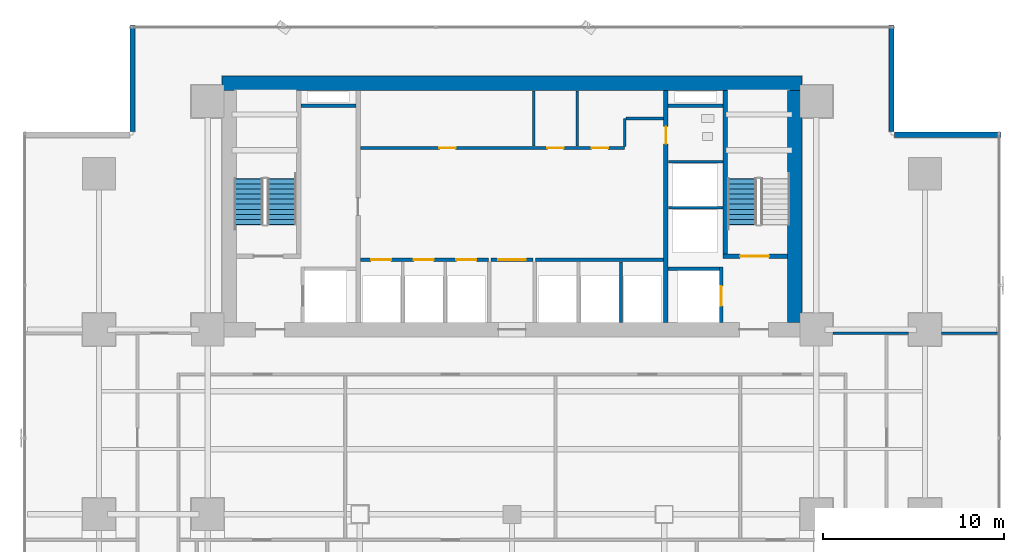
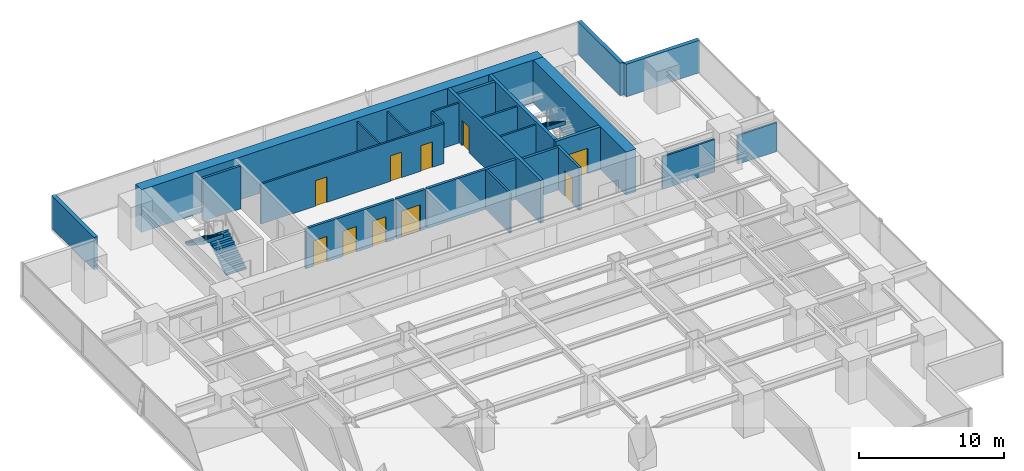
# One storey, part 25 of 32: 25 walls, 10 doors, 3 stair flights, 10 openings, 2 elements without a shape of their own.
"""IFC4 building model written with IfcOpenShell, lengths in metres."""

from ifc_helpers import new_model, si_unit, direction, frame, frame_2d, origin, place, context, subcontext, project, spatial, polyline, rectangle, outline, extrude, source, transform, mapped, material, layer, layer_set, type_object, element, fill, aggregate, save


model = new_model("IFC4")

# Units and contexts
model_context = context("Model", 3, precision=1e-05, world=origin(), true_north=direction((0.0, 1.0)))
body_context = subcontext(model_context, "Body", "Model", "MODEL_VIEW")
ifc_project = project(units=[si_unit("LENGTHUNIT", "METRE"), si_unit("AREAUNIT", "SQUARE_METRE"), si_unit("VOLUMEUNIT", "CUBIC_METRE"), si_unit("PLANEANGLEUNIT", "RADIAN"), si_unit("MASSUNIT", "GRAM", prefix="KILO")], contexts=[model_context])

# Site, building, storey
site_placement = place(None, origin())
site = spatial("IfcSite", under=ifc_project, at=site_placement, CompositionType="ELEMENT")
building_placement = place(site_placement, origin())
building = spatial("IfcBuilding", under=site, at=building_placement, Name="Sumidabori Civic Tower", CompositionType="ELEMENT")
storey_placement = place(building_placement, frame((0.0, 0.0, 48.800048828125)))
storey = spatial("IfcBuildingStorey", under=building, at=storey_placement, Name="L12", CompositionType="ELEMENT", Elevation=48.800048828125)

# Walls
ifc_material_1 = material(Name="Concrete C60/75", Category="concrete")
ifc_layer_1 = layer(ifc_material_1, 0.800048828125, Name="Concrete C60/75")
ifc_layer_set_1 = layer_set([ifc_layer_1], Name="Concrete C60/75")
wall_type_1 = type_object("IfcWallType", Name="WL-CORE-800", PredefinedType="SHEAR", material=ifc_layer_set_1)
shared_shape_1 = source(origin(), body_context, "Body", "SweptSolid", [
    extrude(rectangle(XDim=32.0, YDim=0.800048828125, at=frame_2d((16.0, 0.0))), origin(), (0.0, 0.0, 1.0), 3.599853515625),
])
wall_1_placement = place(storey_placement, frame((-16.0, 23.800048828125, 0.0), z_axis=(0.0, 0.0, 1.0), x_axis=(1.0, 0.0, 0.0)))
element("IfcWall", 1, at=wall_1_placement, inside=storey, type_object=wall_type_1, Name="Core Shear Wall L12 N", PredefinedType="SHEAR", context=body_context, shape_type="MappedRepresentation", body=[
    mapped(shared_shape_1, transform((0.0, 0.0, 0.0), x_axis=(1.0, 0.0, 0.0), y_axis=(0.0, 1.0, 0.0), z_axis=(0.0, 0.0, 1.0), scale=1.0)),
])
shared_shape_2 = source(origin(), body_context, "Body", "SweptSolid", [
    extrude(rectangle(XDim=12.7998046875, YDim=0.800048828125, at=frame_2d((6.39990234375, 0.0))), origin(), (0.0, 0.0, 1.0), 3.599853515625),
])
wall_2_placement = place(storey_placement, frame((15.60009765625, 10.60009765625, 0.0), z_axis=(0.0, 0.0, 1.0), x_axis=(0.0, 1.0, 0.0)))
element("IfcWall", 2, at=wall_2_placement, inside=storey, type_object=wall_type_1, Name="Core Shear Wall L12 E", PredefinedType="SHEAR", context=body_context, shape_type="MappedRepresentation", body=[
    mapped(shared_shape_2, transform((0.0, 0.0, 0.0), x_axis=(1.0, 0.0, 0.0), y_axis=(0.0, 1.0, 0.0), z_axis=(0.0, 0.0, 1.0), scale=1.0)),
])

# Wall, opening, door
ifc_material_2 = material(Name="Concrete C50/60", Category="concrete")
ifc_layer_2 = layer(ifc_material_2, 0.25, Name="Concrete C50/60")
ifc_layer_set_2 = layer_set([ifc_layer_2], Name="Concrete C50/60")
wall_type_2 = type_object("IfcWallType", Name="WL-SHAFT-250", PredefinedType="SHEAR", material=ifc_layer_set_2)
shared_shape_3 = source(origin(), body_context, "Body", "SweptSolid", [
    extrude(rectangle(XDim=12.7998046875, YDim=0.25, at=frame_2d((6.39990234375, 0.0))), origin(), (0.0, 0.0, 1.0), 3.599853515625),
])
wall_3_placement = place(storey_placement, frame((8.5, 10.60009765625, 0.0), z_axis=(0.0, 0.0, 1.0), x_axis=(0.0, 1.0, 0.0)))
wall_3 = element("IfcWall", 3, at=wall_3_placement, inside=storey, type_object=wall_type_2, Name="Core Shear Wall L12 WEB-E", PredefinedType="SHEAR", context=body_context, shape_type="MappedRepresentation", body=[
    mapped(shared_shape_3, transform((0.0, 0.0, 0.0), x_axis=(1.0, 0.0, 0.0), y_axis=(0.0, 1.0, 0.0), z_axis=(0.0, 0.0, 1.0), scale=1.0)),
])
opening_1_placement = place(wall_3_placement, frame((9.85009765625, 0.0, 0.0)))
opening_1 = element("IfcOpeningElement", 4, at=opening_1_placement, cuts=wall_3, Name="Opening DR-2", PredefinedType="OPENING", context=body_context, shape_type="SweptSolid", body=[
    extrude(rectangle(XDim=0.949951171875, YDim=2.14990234375, at=frame_2d((0.47509765625, 1.074951171875))), frame((0.0, 0.136962890625, 0.0), z_axis=(0.0, -1.0, 0.0), x_axis=(1.0, 0.0, 0.0)), (0.0, 0.0, 1.0), 0.27392578125),
])
ifc_material_3 = material(Name="Japanese Hinoki Timber", Category="wood")
door_type_1 = type_object("IfcDoorType", Name="DR-INT-950", OperationType="NOTDEFINED", PredefinedType="DOOR", material=ifc_material_3)
shared_shape_4 = source(origin(), body_context, "Body", "SweptSolid", [
    extrude(rectangle(XDim=0.949951171875, YDim=2.14990234375, at=frame_2d((0.47509765625, 1.074951171875))), frame((0.0, 0.02490234375, 0.0), z_axis=(0.0, -1.0, 0.0), x_axis=(1.0, 0.0, 0.0)), (0.0, 0.0, 1.0), 0.050048828125),
])
door_1_placement = place(opening_1_placement, origin())
door_1 = element("IfcDoor", 5, at=door_1_placement, inside=storey, type_object=door_type_1, Name="Door DR:L12:WC-ACC", OperationType="SINGLE_SWING_RIGHT", OverallHeight=2.14990234375, OverallWidth=0.949951171875, PredefinedType="DOOR", context=body_context, shape_type="MappedRepresentation", body=[
    mapped(shared_shape_4, transform((0.0, 0.0, 0.0), x_axis=(1.0, 0.0, 0.0), y_axis=(0.0, 1.0, 0.0), z_axis=(0.0, 0.0, 1.0), scale=1.0)),
])
fill(opening_1, door_1)

shared_shape_5 = source(origin(), body_context, "Body", "SweptSolid", [
    extrude(rectangle(XDim=3.554931640625, YDim=0.25, at=frame_2d((1.77734375, 0.0))), origin(), (0.0, 0.0, 1.0), 3.599853515625),
])
wall_4_placement = place(storey_placement, frame((11.64501953125, 14.25, 0.0), z_axis=(0.0, 0.0, 1.0), x_axis=(1.0, 0.0, 0.0)))
wall_4 = element("IfcWall", 6, at=wall_4_placement, inside=storey, type_object=wall_type_2, Name="Core Shear Wall L12 ST2-S", PredefinedType="SHEAR", context=body_context, shape_type="MappedRepresentation", body=[
    mapped(shared_shape_5, transform((0.0, 0.0, 0.0), x_axis=(1.0, 0.0, 0.0), y_axis=(0.0, 1.0, 0.0), z_axis=(0.0, 0.0, 1.0), scale=1.0)),
])
opening_2_placement = place(wall_4_placement, frame((0.949951171875, 0.0, 0.0)))
opening_2 = element("IfcOpeningElement", 7, at=opening_2_placement, cuts=wall_4, Name="Opening DR-FD4", PredefinedType="OPENING", context=body_context, shape_type="SweptSolid", body=[
    extrude(rectangle(XDim=1.60009765625, YDim=2.14990234375, at=frame_2d((0.800048828125, 1.074951171875))), frame((0.0, 0.136962890625, 0.0), z_axis=(0.0, -1.0, 0.0), x_axis=(1.0, 0.0, 0.0)), (0.0, 0.0, 1.0), 0.27392578125),
])
ifc_material_4 = material(Name="Steel SN490", Category="steel")
door_type_2 = type_object("IfcDoorType", Name="DR-FD4", OperationType="DOUBLE_DOOR_SINGLE_SWING", PredefinedType="DOOR", material=ifc_material_4)
shared_shape_6 = source(origin(), body_context, "Body", "SweptSolid", [
    extrude(rectangle(XDim=1.60009765625, YDim=2.14990234375, at=frame_2d((0.800048828125, 1.074951171875))), frame((0.0, 0.02490234375, 0.0), z_axis=(0.0, -1.0, 0.0), x_axis=(1.0, 0.0, 0.0)), (0.0, 0.0, 1.0), 0.050048828125),
])
door_2_placement = place(opening_2_placement, origin())
door_2 = element("IfcDoor", 8, at=door_2_placement, inside=storey, type_object=door_type_2, Name="Door DR:L12:ST2", OperationType="DOUBLE_DOOR_SINGLE_SWING", OverallHeight=2.14990234375, OverallWidth=1.60009765625, PredefinedType="DOOR", context=body_context, shape_type="MappedRepresentation", body=[
    mapped(shared_shape_6, transform((0.0, 0.0, 0.0), x_axis=(1.0, 0.0, 0.0), y_axis=(0.0, 1.0, 0.0), z_axis=(0.0, 0.0, 1.0), scale=1.0)),
])
fill(opening_2, door_2)

# Wall
shared_shape_7 = source(origin(), body_context, "Body", "SweptSolid", [
    extrude(rectangle(XDim=9.02490234375, YDim=0.25, at=frame_2d((4.512451171875, 0.0))), origin(), (0.0, 0.0, 1.0), 3.599853515625),
])
wall_5_placement = place(storey_placement, frame((11.77001953125, 14.375, 0.0), z_axis=(0.0, 0.0, 1.0), x_axis=(0.0, 1.0, 0.0)))
element("IfcWall", 9, at=wall_5_placement, inside=storey, type_object=wall_type_2, Name="Core Shear Wall L12 ST2-W", PredefinedType="SHEAR", context=body_context, shape_type="MappedRepresentation", body=[
    mapped(shared_shape_7, transform((0.0, 0.0, 0.0), x_axis=(1.0, 0.0, 0.0), y_axis=(0.0, 1.0, 0.0), z_axis=(0.0, 0.0, 1.0), scale=1.0)),
])

# Wall, opening, door
ifc_layer_3 = layer(ifc_material_2, 0.199951171875, Name="Concrete C50/60")
ifc_layer_set_3 = layer_set([ifc_layer_3], Name="Concrete C50/60")
wall_type_3 = type_object("IfcWallType", Name="WL-SHAFT-200", PredefinedType="SHEAR", material=ifc_layer_set_3)
shared_shape_8 = source(origin(), body_context, "Body", "SweptSolid", [
    extrude(rectangle(XDim=3.0498046875, YDim=0.199951171875, at=frame_2d((1.52490234375, 0.0))), origin(), (0.0, 0.0, 1.0), 3.599853515625),
])
wall_6_placement = place(storey_placement, frame((11.550048828125, 10.60009765625, 0.0), z_axis=(0.0, 0.0, 1.0), x_axis=(0.0, 1.0, 0.0)))
wall_6 = element("IfcWall", 10, at=wall_6_placement, inside=storey, type_object=wall_type_3, Name="Core Shear Wall L12 EL2-E", PredefinedType="SHEAR", context=body_context, shape_type="MappedRepresentation", body=[
    mapped(shared_shape_8, transform((0.0, 0.0, 0.0), x_axis=(1.0, 0.0, 0.0), y_axis=(0.0, 1.0, 0.0), z_axis=(0.0, 0.0, 1.0), scale=1.0)),
])
opening_3_placement = place(wall_6_placement, frame((0.89990234375, 0.0, 0.0)))
opening_3 = element("IfcOpeningElement", 11, at=opening_3_placement, cuts=wall_6, Name="Opening LD-2", PredefinedType="OPENING", context=body_context, shape_type="SweptSolid", body=[
    extrude(rectangle(XDim=1.10009765625, YDim=2.14990234375, at=frame_2d((0.550048828125, 1.074951171875))), frame((0.0, 0.11181640625, 0.0), z_axis=(0.0, -1.0, 0.0), x_axis=(1.0, 0.0, 0.0)), (0.0, 0.0, 1.0), 0.223876953125),
])
ifc_material_5 = material(Name="Stainless Steel Hairline Finish", Category="steel")
door_type_3 = type_object("IfcDoorType", Name="DR-LD2", OperationType="DOUBLE_DOOR_SLIDING", PredefinedType="DOOR", material=ifc_material_5)
shared_shape_9 = source(origin(), body_context, "Body", "SweptSolid", [
    extrude(rectangle(XDim=1.10009765625, YDim=2.14990234375, at=frame_2d((0.550048828125, 1.074951171875))), frame((0.0, 0.02490234375, 0.0), z_axis=(0.0, -1.0, 0.0), x_axis=(1.0, 0.0, 0.0)), (0.0, 0.0, 1.0), 0.050048828125),
])
door_3_placement = place(opening_3_placement, origin())
door_3 = element("IfcDoor", 12, at=door_3_placement, inside=storey, type_object=door_type_3, Name="Door DR:L12:LD-EL2", OperationType="DOUBLE_DOOR_SLIDING", OverallHeight=2.14990234375, OverallWidth=1.10009765625, PredefinedType="DOOR", context=body_context, shape_type="MappedRepresentation", body=[
    mapped(shared_shape_9, transform((0.0, 0.0, 0.0), x_axis=(1.0, 0.0, 0.0), y_axis=(0.0, 1.0, 0.0), z_axis=(0.0, 0.0, 1.0), scale=1.0)),
])
fill(opening_3, door_3)

# Walls
shared_shape_10 = source(origin(), body_context, "Body", "SweptSolid", [
    extrude(rectangle(XDim=2.824951171875, YDim=0.199951171875, at=frame_2d((1.41259765625, 0.0))), origin(), (0.0, 0.0, 1.0), 3.599853515625),
])
wall_7_placement = place(storey_placement, frame((8.625, 13.550048828125, 0.0), z_axis=(0.0, 0.0, 1.0), x_axis=(1.0, 0.0, 0.0)))
element("IfcWall", 13, at=wall_7_placement, inside=storey, type_object=wall_type_3, Name="Core Shear Wall L12 EL2-N", PredefinedType="SHEAR", context=body_context, shape_type="MappedRepresentation", body=[
    mapped(shared_shape_10, transform((0.0, 0.0, 0.0), x_axis=(1.0, 0.0, 0.0), y_axis=(0.0, 1.0, 0.0), z_axis=(0.0, 0.0, 1.0), scale=1.0)),
])
shared_shape_11 = source(origin(), body_context, "Body", "SweptSolid", [
    extrude(rectangle(XDim=3.02001953125, YDim=0.199951171875, at=frame_2d((1.510009765625, 0.0))), origin(), (0.0, 0.0, 1.0), 3.599853515625),
])
for number, where, z_axis, x_axis, name in (
    (14, (-11.64501953125, 22.550048828125, 0.0), (0.0, 0.0, 1.0), (1.0, 0.0, 0.0), "Core Shear Wall L12 RIS1-S"),
    (15, (8.625, 22.550048828125, 0.0), (0.0, 0.0, 1.0), (1.0, 0.0, 0.0), "Core Shear Wall L12 RIS2-S"),
):
    element("IfcWall", number, at=place(storey_placement, frame(where, z_axis=z_axis, x_axis=x_axis)), inside=storey, type_object=wall_type_3, Name=name, PredefinedType="SHEAR", context=body_context, shape_type="MappedRepresentation", body=[
        mapped(shared_shape_11, transform((0.0, 0.0, 0.0), x_axis=(1.0, 0.0, 0.0), y_axis=(0.0, 1.0, 0.0), z_axis=(0.0, 0.0, 1.0), scale=1.0)),
    ])
ifc_material_6 = material(Name="Precast concrete C40/50", Category="concrete")
ifc_layer_4 = layer(ifc_material_6, 0.300048828125, Name="Precast concrete C40/50")
ifc_layer_set_4 = layer_set([ifc_layer_4], Name="Precast concrete C40/50")
wall_type_4 = type_object("IfcWallType", Name="WL-EXT-POD300", PredefinedType="STANDARD", material=ifc_layer_set_4)
shared_shape_12 = source(origin(), body_context, "Body", "SweptSolid", [
    extrude(rectangle(XDim=5.85986328125, YDim=0.300048828125, at=frame_2d((2.929931640625, 0.0))), origin(), (0.0, 0.0, 1.0), 2.739990234375),
])
for number, where, z_axis, x_axis, name in (
    (16, (26.97998046875, 20.949951171875, 0.0), (0.0, 0.0, 1.0), (-1.0, 0.0, 0.0), "Notched Corner Spandrel Band L12-05"),
    (17, (20.949951171875, 21.1201171875, 0.0), (0.0, 0.0, 1.0), (0.0, 1.0, 0.0), "Notched Corner Spandrel Band L12-06"),
    (18, (-20.949951171875, 26.97998046875, 0.0), (0.0, 0.0, 1.0), (0.0, -1.0, 0.0), "Notched Corner Spandrel Band L12-08"),
):
    element("IfcWall", number, at=place(storey_placement, frame(where, z_axis=z_axis, x_axis=x_axis)), inside=storey, type_object=wall_type_4, Name=name, PredefinedType="STANDARD", context=body_context, shape_type="MappedRepresentation", body=[
        mapped(shared_shape_12, transform((0.0, 0.0, 0.0), x_axis=(1.0, 0.0, 0.0), y_axis=(0.0, 1.0, 0.0), z_axis=(0.0, 0.0, 1.0), scale=1.0)),
    ])
ifc_material_7 = material(Name="Gypsum Plasterboard Acoustic Partition")
ifc_layer_5 = layer(ifc_material_7, 0.14990234375, Name="Gypsum Plasterboard Acoustic Partition")
ifc_layer_set_5 = layer_set([ifc_layer_5], Name="Gypsum Plasterboard Acoustic Partition")
wall_type_5 = type_object("IfcWallType", Name="WL-PART-150", PredefinedType="PARTITIONING", material=ifc_layer_set_5)
shared_shape_13 = source(origin(), body_context, "Body", "SweptSolid", [
    extrude(rectangle(XDim=3.010009765625, YDim=0.14990234375, at=frame_2d((1.5048828125, 0.0))), origin(), (0.0, 0.0, 1.0), 3.35986328125),
])
for number, where, z_axis, x_axis, name in (
    (19, (8.6298828125, 16.919921875, 0.0), (0.0, 0.0, 1.0), (1.0, 0.0, 0.0), "Interior Partition WL:L12:DIV-OBS1"),
    (20, (8.6298828125, 19.469970703125, 0.0), (0.0, 0.0, 1.0), (1.0, 0.0, 0.0), "Interior Partition WL:L12:DIV-OBS2"),
):
    element("IfcWall", number, at=place(storey_placement, frame(where, z_axis=z_axis, x_axis=x_axis)), inside=storey, type_object=wall_type_5, Name=name, PredefinedType="PARTITIONING", context=body_context, shape_type="MappedRepresentation", body=[
        mapped(shared_shape_13, transform((0.0, 0.0, 0.0), x_axis=(1.0, 0.0, 0.0), y_axis=(0.0, 1.0, 0.0), z_axis=(0.0, 0.0, 1.0), scale=1.0)),
    ])

# Wall, openings, doors
ifc_material_8 = material(Name="Gypsum Plasterboard Fire Partition")
ifc_layer_6 = layer(ifc_material_8, 0.199951171875, Name="Gypsum Plasterboard Fire Partition")
ifc_layer_set_6 = layer_set([ifc_layer_6], Name="Gypsum Plasterboard Fire Partition")
wall_type_6 = type_object("IfcWallType", Name="WL-PART-FIRE", PredefinedType="PARTITIONING", material=ifc_layer_set_6)
shared_shape_14 = source(origin(), body_context, "Body", "SweptSolid", [
    extrude(rectangle(XDim=7.070068359375, YDim=0.199951171875, at=frame_2d((3.53515625, 0.0))), origin(), (0.0, 0.0, 1.0), 3.35986328125),
])
wall_8_placement = place(storey_placement, frame((-8.3701171875, 14.050048828125, 0.0), z_axis=(0.0, 0.0, 1.0), x_axis=(1.0, 0.0, 0.0)))
wall_8 = element("IfcWall", 21, at=wall_8_placement, inside=storey, type_object=wall_type_6, Name="Interior Partition WL:L12:CBAND-SW", PredefinedType="PARTITIONING", context=body_context, shape_type="MappedRepresentation", body=[
    mapped(shared_shape_14, transform((0.0, 0.0, 0.0), x_axis=(1.0, 0.0, 0.0), y_axis=(0.0, 1.0, 0.0), z_axis=(0.0, 0.0, 1.0), scale=1.0)),
])
opening_4_placement = place(wall_8_placement, frame((0.60009765625, 0.0, 0.0)))
opening_4 = element("IfcOpeningElement", 22, at=opening_4_placement, cuts=wall_8, Name="Opening LD-1", PredefinedType="OPENING", context=body_context, shape_type="SweptSolid", body=[
    extrude(rectangle(XDim=1.10009765625, YDim=2.14990234375, at=frame_2d((0.550048828125, 1.074951171875))), frame((0.0, 0.11181640625, 0.0), z_axis=(0.0, -1.0, 0.0), x_axis=(1.0, 0.0, 0.0)), (0.0, 0.0, 1.0), 0.223876953125),
])
opening_5_placement = place(wall_8_placement, frame((2.949951171875, 0.0, 0.0)))
opening_5 = element("IfcOpeningElement", 23, at=opening_5_placement, cuts=wall_8, Name="Opening LD-1", PredefinedType="OPENING", context=body_context, shape_type="SweptSolid", body=[
    extrude(rectangle(XDim=1.10009765625, YDim=2.14990234375, at=frame_2d((0.550048828125, 1.074951171875))), frame((0.0, 0.11181640625, 0.0), z_axis=(0.0, -1.0, 0.0), x_axis=(1.0, 0.0, 0.0)), (0.0, 0.0, 1.0), 0.223876953125),
])
opening_6_placement = place(wall_8_placement, frame((5.300048828125, 0.0, 0.0)))
opening_6 = element("IfcOpeningElement", 24, at=opening_6_placement, cuts=wall_8, Name="Opening LD-1", PredefinedType="OPENING", context=body_context, shape_type="SweptSolid", body=[
    extrude(rectangle(XDim=1.10009765625, YDim=2.14990234375, at=frame_2d((0.550048828125, 1.074951171875))), frame((0.0, 0.11181640625, 0.0), z_axis=(0.0, -1.0, 0.0), x_axis=(1.0, 0.0, 0.0)), (0.0, 0.0, 1.0), 0.223876953125),
])
door_type_4 = type_object("IfcDoorType", Name="DR-LD1", OperationType="DOUBLE_DOOR_SLIDING", PredefinedType="DOOR", material=ifc_material_5)
door_4_placement = place(opening_4_placement, origin())
door_4 = element("IfcDoor", 25, at=door_4_placement, inside=storey, type_object=door_type_4, Name="Door DR:L12:LD-PLL1", OperationType="DOUBLE_DOOR_SLIDING", OverallHeight=2.14990234375, OverallWidth=1.10009765625, PredefinedType="DOOR", context=body_context, shape_type="MappedRepresentation", body=[
    mapped(shared_shape_9, transform((0.0, 0.0, 0.0), x_axis=(1.0, 0.0, 0.0), y_axis=(0.0, 1.0, 0.0), z_axis=(0.0, 0.0, 1.0), scale=1.0)),
])
fill(opening_4, door_4)
door_5_placement = place(opening_5_placement, origin())
door_5 = element("IfcDoor", 26, at=door_5_placement, inside=storey, type_object=door_type_4, Name="Door DR:L12:LD-PLL2", OperationType="DOUBLE_DOOR_SLIDING", OverallHeight=2.14990234375, OverallWidth=1.10009765625, PredefinedType="DOOR", context=body_context, shape_type="MappedRepresentation", body=[
    mapped(shared_shape_9, transform((0.0, 0.0, 0.0), x_axis=(1.0, 0.0, 0.0), y_axis=(0.0, 1.0, 0.0), z_axis=(0.0, 0.0, 1.0), scale=1.0)),
])
fill(opening_5, door_5)
door_6_placement = place(opening_6_placement, origin())
door_6 = element("IfcDoor", 27, at=door_6_placement, inside=storey, type_object=door_type_4, Name="Door DR:L12:LD-PLL3", OperationType="DOUBLE_DOOR_SLIDING", OverallHeight=2.14990234375, OverallWidth=1.10009765625, PredefinedType="DOOR", context=body_context, shape_type="MappedRepresentation", body=[
    mapped(shared_shape_9, transform((0.0, 0.0, 0.0), x_axis=(1.0, 0.0, 0.0), y_axis=(0.0, 1.0, 0.0), z_axis=(0.0, 0.0, 1.0), scale=1.0)),
])
fill(opening_6, door_6)

# Wall
wall_9_placement = place(storey_placement, frame((1.300048828125, 14.050048828125, 0.0), z_axis=(0.0, 0.0, 1.0), x_axis=(1.0, 0.0, 0.0)))
element("IfcWall", 28, at=wall_9_placement, inside=storey, type_object=wall_type_6, Name="Interior Partition WL:L12:CBAND-SE", PredefinedType="PARTITIONING", context=body_context, shape_type="MappedRepresentation", body=[
    mapped(shared_shape_14, transform((0.0, 0.0, 0.0), x_axis=(1.0, 0.0, 0.0), y_axis=(0.0, 1.0, 0.0), z_axis=(0.0, 0.0, 1.0), scale=1.0)),
])

# Wall, opening, door
shared_shape_15 = source(origin(), body_context, "Body", "SweptSolid", [
    extrude(rectangle(XDim=2.2998046875, YDim=0.199951171875, at=frame_2d((1.14990234375, 0.0))), origin(), (0.0, 0.0, 1.0), 3.35986328125),
])
wall_10_placement = place(storey_placement, frame((-1.14990234375, 14.050048828125, 0.0), z_axis=(0.0, 0.0, 1.0), x_axis=(1.0, 0.0, 0.0)))
wall_10 = element("IfcWall", 29, at=wall_10_placement, inside=storey, type_object=wall_type_6, Name="Interior Partition WL:L12:THROAT-N", PredefinedType="PARTITIONING", context=body_context, shape_type="MappedRepresentation", body=[
    mapped(shared_shape_15, transform((0.0, 0.0, 0.0), x_axis=(1.0, 0.0, 0.0), y_axis=(0.0, 1.0, 0.0), z_axis=(0.0, 0.0, 1.0), scale=1.0)),
])
opening_7_placement = place(wall_10_placement, frame((0.39990234375, 0.0, 0.0)))
opening_7 = element("IfcOpeningElement", 30, at=opening_7_placement, cuts=wall_10, Name="Opening DR-FD3", PredefinedType="OPENING", context=body_context, shape_type="SweptSolid", body=[
    extrude(rectangle(XDim=1.5, YDim=2.199951171875, at=frame_2d((0.75, 1.10009765625))), frame((0.0, 0.11181640625, 0.0), z_axis=(0.0, -1.0, 0.0), x_axis=(1.0, 0.0, 0.0)), (0.0, 0.0, 1.0), 0.223876953125),
])
door_type_5 = type_object("IfcDoorType", Name="DR-FD-DBL", OperationType="DOUBLE_DOOR_SINGLE_SWING", PredefinedType="DOOR", material=ifc_material_4)
shared_shape_16 = source(origin(), body_context, "Body", "SweptSolid", [
    extrude(rectangle(XDim=1.5, YDim=2.199951171875, at=frame_2d((0.75, 1.10009765625))), frame((0.0, 0.02490234375, 0.0), z_axis=(0.0, -1.0, 0.0), x_axis=(1.0, 0.0, 0.0)), (0.0, 0.0, 1.0), 0.050048828125),
])
door_7_placement = place(opening_7_placement, origin())
door_7 = element("IfcDoor", 31, at=door_7_placement, inside=storey, type_object=door_type_5, Name="Door DR:L12:THROAT-IN", OperationType="DOUBLE_DOOR_SINGLE_SWING", OverallHeight=2.199951171875, OverallWidth=1.5, PredefinedType="DOOR", context=body_context, shape_type="MappedRepresentation", body=[
    mapped(shared_shape_16, transform((0.0, 0.0, 0.0), x_axis=(1.0, 0.0, 0.0), y_axis=(0.0, 1.0, 0.0), z_axis=(0.0, 0.0, 1.0), scale=1.0)),
])
fill(opening_7, door_7)

# Wall, openings, doors
shared_shape_17 = source(origin(), body_context, "Body", "SweptSolid", [
    extrude(rectangle(XDim=14.590087890625, YDim=0.14990234375, at=frame_2d((7.294921875, 0.0))), origin(), (0.0, 0.0, 1.0), 3.35986328125),
])
wall_11_placement = place(storey_placement, frame((-8.3701171875, 20.219970703125, 0.0), z_axis=(0.0, 0.0, 1.0), x_axis=(1.0, 0.0, 0.0)))
wall_11 = element("IfcWall", 32, at=wall_11_placement, inside=storey, type_object=wall_type_5, Name="Interior Partition WL:L12:CBAND-M", PredefinedType="PARTITIONING", context=body_context, shape_type="MappedRepresentation", body=[
    mapped(shared_shape_17, transform((0.0, 0.0, 0.0), x_axis=(1.0, 0.0, 0.0), y_axis=(0.0, 1.0, 0.0), z_axis=(0.0, 0.0, 1.0), scale=1.0)),
])
opening_8_placement = place(wall_11_placement, frame((4.360107421875, 0.0, 0.0)))
opening_8 = element("IfcOpeningElement", 33, at=opening_8_placement, cuts=wall_11, Name="Opening DR-1", PredefinedType="OPENING", context=body_context, shape_type="SweptSolid", body=[
    extrude(rectangle(XDim=0.89990234375, YDim=2.14990234375, at=frame_2d((0.449951171875, 1.074951171875))), frame((0.0, 0.0869140625, 0.0), z_axis=(0.0, -1.0, 0.0), x_axis=(1.0, 0.0, 0.0)), (0.0, 0.0, 1.0), 0.173828125),
])
opening_9_placement = place(wall_11_placement, frame((10.320068359375, 0.0, 0.0)))
opening_9 = element("IfcOpeningElement", 34, at=opening_9_placement, cuts=wall_11, Name="Opening DR-1", PredefinedType="OPENING", context=body_context, shape_type="SweptSolid", body=[
    extrude(rectangle(XDim=0.89990234375, YDim=2.14990234375, at=frame_2d((0.449951171875, 1.074951171875))), frame((0.0, 0.0869140625, 0.0), z_axis=(0.0, -1.0, 0.0), x_axis=(1.0, 0.0, 0.0)), (0.0, 0.0, 1.0), 0.173828125),
])
opening_10_placement = place(wall_11_placement, frame((12.77001953125, 0.0, 0.0)))
opening_10 = element("IfcOpeningElement", 35, at=opening_10_placement, cuts=wall_11, Name="Opening DR-1", PredefinedType="OPENING", context=body_context, shape_type="SweptSolid", body=[
    extrude(rectangle(XDim=0.89990234375, YDim=2.14990234375, at=frame_2d((0.449951171875, 1.074951171875))), frame((0.0, 0.0869140625, 0.0), z_axis=(0.0, -1.0, 0.0), x_axis=(1.0, 0.0, 0.0)), (0.0, 0.0, 1.0), 0.173828125),
])
door_type_6 = type_object("IfcDoorType", Name="DR-INT-900", OperationType="NOTDEFINED", PredefinedType="DOOR", material=ifc_material_3)
shared_shape_18 = source(origin(), body_context, "Body", "SweptSolid", [
    extrude(rectangle(XDim=0.89990234375, YDim=2.14990234375, at=frame_2d((0.449951171875, 1.074951171875))), frame((0.0, 0.02490234375, 0.0), z_axis=(0.0, -1.0, 0.0), x_axis=(1.0, 0.0, 0.0)), (0.0, 0.0, 1.0), 0.050048828125),
])
door_8_placement = place(opening_8_placement, origin())
door_8 = element("IfcDoor", 36, at=door_8_placement, inside=storey, type_object=door_type_6, Name="Door DR:L12:CB-1", OperationType="SINGLE_SWING_LEFT", OverallHeight=2.14990234375, OverallWidth=0.89990234375, PredefinedType="DOOR", context=body_context, shape_type="MappedRepresentation", body=[
    mapped(shared_shape_18, transform((0.0, 0.0, 0.0), x_axis=(1.0, 0.0, 0.0), y_axis=(0.0, 1.0, 0.0), z_axis=(0.0, 0.0, 1.0), scale=1.0)),
])
fill(opening_8, door_8)
door_9_placement = place(opening_9_placement, origin())
door_9 = element("IfcDoor", 37, at=door_9_placement, inside=storey, type_object=door_type_6, Name="Door DR:L12:CB-2", OperationType="SINGLE_SWING_RIGHT", OverallHeight=2.14990234375, OverallWidth=0.89990234375, PredefinedType="DOOR", context=body_context, shape_type="MappedRepresentation", body=[
    mapped(shared_shape_18, transform((0.0, 0.0, 0.0), x_axis=(1.0, 0.0, 0.0), y_axis=(0.0, 1.0, 0.0), z_axis=(0.0, 0.0, 1.0), scale=1.0)),
])
fill(opening_9, door_9)
door_10_placement = place(opening_10_placement, origin())
door_10 = element("IfcDoor", 38, at=door_10_placement, inside=storey, type_object=door_type_6, Name="Door DR:L12:CB-3", OperationType="SINGLE_SWING_LEFT", OverallHeight=2.14990234375, OverallWidth=0.89990234375, PredefinedType="DOOR", context=body_context, shape_type="MappedRepresentation", body=[
    mapped(shared_shape_18, transform((0.0, 0.0, 0.0), x_axis=(1.0, 0.0, 0.0), y_axis=(0.0, 1.0, 0.0), z_axis=(0.0, 0.0, 1.0), scale=1.0)),
])
fill(opening_10, door_10)

# Walls
shared_shape_19 = source(origin(), body_context, "Body", "SweptSolid", [
    extrude(rectangle(XDim=1.550048828125, YDim=0.14990234375, at=frame_2d((0.77490234375, 0.0))), origin(), (0.0, 0.0, 1.0), 3.35986328125),
])
wall_12_placement = place(storey_placement, frame((6.219970703125, 20.300048828125, 0.0), z_axis=(0.0, 0.0, 1.0), x_axis=(0.0, 1.0, 0.0)))
element("IfcWall", 39, at=wall_12_placement, inside=storey, type_object=wall_type_5, Name="Interior Partition WL:L12:CBAND-ME1", PredefinedType="PARTITIONING", context=body_context, shape_type="MappedRepresentation", body=[
    mapped(shared_shape_19, transform((0.0, 0.0, 0.0), x_axis=(1.0, 0.0, 0.0), y_axis=(0.0, 1.0, 0.0), z_axis=(0.0, 0.0, 1.0), scale=1.0)),
])
shared_shape_20 = source(origin(), body_context, "Body", "SweptSolid", [
    extrude(rectangle(XDim=2.070068359375, YDim=0.14990234375, at=frame_2d((1.03515625, 0.0))), origin(), (0.0, 0.0, 1.0), 3.35986328125),
])
wall_13_placement = place(storey_placement, frame((6.300048828125, 21.85009765625, 0.0), z_axis=(0.0, 0.0, 1.0), x_axis=(1.0, 0.0, 0.0)))
element("IfcWall", 40, at=wall_13_placement, inside=storey, type_object=wall_type_5, Name="Interior Partition WL:L12:CBAND-ME2", PredefinedType="PARTITIONING", context=body_context, shape_type="MappedRepresentation", body=[
    mapped(shared_shape_20, transform((0.0, 0.0, 0.0), x_axis=(1.0, 0.0, 0.0), y_axis=(0.0, 1.0, 0.0), z_axis=(0.0, 0.0, 1.0), scale=1.0)),
])
shared_shape_21 = source(origin(), body_context, "Body", "SweptSolid", [
    extrude(rectangle(XDim=3.33984375, YDim=0.14990234375, at=frame_2d((1.669921875, 0.0))), origin(), (0.0, 0.0, 1.0), 3.35986328125),
])
wall_14_placement = place(storey_placement, frame((6.02001953125, 10.60009765625, 0.0), z_axis=(0.0, 0.0, 1.0), x_axis=(0.0, 1.0, 0.0)))
element("IfcWall", 41, at=wall_14_placement, inside=storey, type_object=wall_type_5, Name="Interior Partition WL:L12:DIV-PLM2", PredefinedType="PARTITIONING", context=body_context, shape_type="MappedRepresentation", body=[
    mapped(shared_shape_21, transform((0.0, 0.0, 0.0), x_axis=(1.0, 0.0, 0.0), y_axis=(0.0, 1.0, 0.0), z_axis=(0.0, 0.0, 1.0), scale=1.0)),
])
ifc_layer_7 = layer(ifc_material_7, 0.1201171875, Name="Gypsum Plasterboard Acoustic Partition")
ifc_layer_set_7 = layer_set([ifc_layer_7], Name="Gypsum Plasterboard Acoustic Partition")
wall_type_7 = type_object("IfcWallType", Name="WL-PART-120", PredefinedType="PARTITIONING", material=ifc_layer_set_7)
shared_shape_22 = source(origin(), body_context, "Body", "SweptSolid", [
    extrude(rectangle(XDim=3.0400390625, YDim=0.1201171875, at=frame_2d((1.52001953125, 0.0))), origin(), (0.0, 0.0, 1.0), 3.35986328125),
])
for number, where, z_axis, x_axis, name in (
    (42, (1.199951171875, 20.320068359375, 0.0), (0.0, 0.0, 1.0), (0.0, 1.0, 0.0), "Interior Partition WL:L12:LV8-S1"),
    (43, (3.60009765625, 20.320068359375, 0.0), (0.0, 0.0, 1.0), (0.0, 1.0, 0.0), "Interior Partition WL:L12:LV8-S2"),
):
    element("IfcWall", number, at=place(storey_placement, frame(where, z_axis=z_axis, x_axis=x_axis)), inside=storey, type_object=wall_type_7, Name=name, PredefinedType="PARTITIONING", context=body_context, shape_type="MappedRepresentation", body=[
        mapped(shared_shape_22, transform((0.0, 0.0, 0.0), x_axis=(1.0, 0.0, 0.0), y_axis=(0.0, 1.0, 0.0), z_axis=(0.0, 0.0, 1.0), scale=1.0)),
    ])
shared_shape_23 = source(origin(), body_context, "Body", "SweptSolid", [
    extrude(rectangle(XDim=3.14013671875, YDim=0.14990234375, at=frame_2d((1.570068359375, 0.0))), origin(), (0.0, 0.0, 1.0), 2.43505859375),
])
wall_15_placement = place(storey_placement, frame((23.7099609375, 10.0, 0.0), z_axis=(0.0, 0.0, 1.0), x_axis=(1.0, 0.0, 0.0)))
element("IfcWall", 44, at=wall_15_placement, inside=storey, type_object=wall_type_5, Name="Interior Partition WL:L12:FLK-NE-2", PredefinedType="PARTITIONING", context=body_context, shape_type="MappedRepresentation", body=[
    mapped(shared_shape_23, transform((0.0, 0.0, 0.0), x_axis=(1.0, 0.0, 0.0), y_axis=(0.0, 1.0, 0.0), z_axis=(0.0, 0.0, 1.0), scale=1.0)),
])
shared_shape_24 = source(origin(), body_context, "Body", "SweptSolid", [
    extrude(rectangle(XDim=4.179931640625, YDim=0.14990234375, at=frame_2d((2.08984375, 0.0))), origin(), (0.0, 0.0, 1.0), 2.744873046875),
])
wall_16_placement = place(storey_placement, frame((17.7099609375, 10.0, 0.0), z_axis=(0.0, 0.0, 1.0), x_axis=(1.0, 0.0, 0.0)))
element("IfcWall", 45, at=wall_16_placement, inside=storey, type_object=wall_type_5, Name="Interior Partition WL:L12:FLK-NE-1", PredefinedType="PARTITIONING", context=body_context, shape_type="MappedRepresentation", body=[
    mapped(shared_shape_24, transform((0.0, 0.0, 0.0), x_axis=(1.0, 0.0, 0.0), y_axis=(0.0, 1.0, 0.0), z_axis=(0.0, 0.0, 1.0), scale=1.0)),
])

# Stair, stair flights
ifc_material_9 = material(Name="Concrete C40/50", Category="concrete")
stair_type = type_object("IfcStairType", Name="ST-CORE-1600", PredefinedType="HALF_TURN_STAIR", material=ifc_material_9)
stair_1_placement = place(storey_placement, origin())
stair_1 = element("IfcStair", 46, at=stair_1_placement, inside=storey, type_object=stair_type, Name="L12 ST-1", PredefinedType="HALF_TURN_STAIR")
stair_flight_type = type_object("IfcStairFlightType", Name="SF-CORE-1600", PredefinedType="STRAIGHT", material=ifc_material_9)
shared_shape_25 = source(origin(), body_context, "Body", "SweptSolid", [
    extrude(outline(polyline([(-0.02490234375, 0.0), (-0.02490234375, 0.0400390625), (0.0, 0.0400390625), (0.0, 0.179931640625), (0.280029296875, 0.179931640625), (0.280029296875, 0.360107421875), (0.56005859375, 0.360107421875), (0.56005859375, 0.5400390625), (0.840087890625, 0.5400390625), (0.840087890625, 0.719970703125), (1.1201171875, 0.719970703125), (1.1201171875, 0.89990234375), (1.39990234375, 0.89990234375), (1.39990234375, 1.080078125), (1.679931640625, 1.080078125), (1.679931640625, 1.260009765625), (1.9599609375, 1.260009765625), (1.9599609375, 1.43994140625), (2.239990234375, 1.43994140625), (2.239990234375, 1.6201171875), (2.52001953125, 1.6201171875), (2.52001953125, 1.800048828125), (2.544921875, 1.800048828125), (2.544921875, 1.650146484375), (2.52001953125, 1.44189453125), (0.277099609375, 0.0), (-0.02490234375, 0.0)])), frame((0.0, 0.800048828125, 0.0), z_axis=(0.0, -1.0, 0.0), x_axis=(1.0, 0.0, 0.0)), (0.0, 0.0, 1.0), 1.60009765625),
])
stair_flight_1_placement = place(storey_placement, frame((-12.699951171875, 16.0, 0.0), z_axis=(0.0, 0.0, 1.0), x_axis=(0.0, 1.0, 0.0)))
stair_flight_1 = element("IfcStairFlight", 47, at=stair_flight_1_placement, type_object=stair_flight_type, Name="ST-1 flight 1", NumberOfRisers=10, NumberOfTreads=9, PredefinedType="STRAIGHT", RiserHeight=0.18, TreadLength=0.28, context=body_context, shape_type="MappedRepresentation", body=[
    mapped(shared_shape_25, transform((0.0, 0.0, 0.0), x_axis=(1.0, 0.0, 0.0), y_axis=(0.0, 1.0, 0.0), z_axis=(0.0, 0.0, 1.0), scale=1.0)),
])
stair_flight_2_placement = place(storey_placement, frame((-14.5400390625, 18.52001953125, 1.800048828125), z_axis=(0.0, 0.0, 1.0), x_axis=(0.0, -1.0, 0.0)))
stair_flight_2 = element("IfcStairFlight", 48, at=stair_flight_2_placement, type_object=stair_flight_type, Name="ST-1 flight 2", NumberOfRisers=10, NumberOfTreads=9, PredefinedType="STRAIGHT", RiserHeight=0.18, TreadLength=0.28, context=body_context, shape_type="MappedRepresentation", body=[
    mapped(shared_shape_25, transform((0.0, 0.0, 0.0), x_axis=(1.0, 0.0, 0.0), y_axis=(0.0, 1.0, 0.0), z_axis=(0.0, 0.0, 1.0), scale=1.0)),
])
aggregate(stair_1, [stair_flight_1, stair_flight_2])

# Stair, stair flight
stair_2_placement = place(storey_placement, origin())
stair_2 = element("IfcStair", 49, at=stair_2_placement, inside=storey, type_object=stair_type, Name="L12 ST-2", PredefinedType="HALF_TURN_STAIR")
stair_flight_3_placement = place(storey_placement, frame((12.699951171875, 18.52001953125, 1.800048828125), z_axis=(0.0, 0.0, 1.0), x_axis=(0.0, -1.0, 0.0)))
stair_flight_3 = element("IfcStairFlight", 50, at=stair_flight_3_placement, type_object=stair_flight_type, Name="ST-2 flight 2", NumberOfRisers=10, NumberOfTreads=9, PredefinedType="STRAIGHT", RiserHeight=0.18, TreadLength=0.28, context=body_context, shape_type="MappedRepresentation", body=[
    mapped(shared_shape_25, transform((0.0, 0.0, 0.0), x_axis=(1.0, 0.0, 0.0), y_axis=(0.0, 1.0, 0.0), z_axis=(0.0, 0.0, 1.0), scale=1.0)),
])
aggregate(stair_2, [stair_flight_3])

save(model, "model.ifc")
